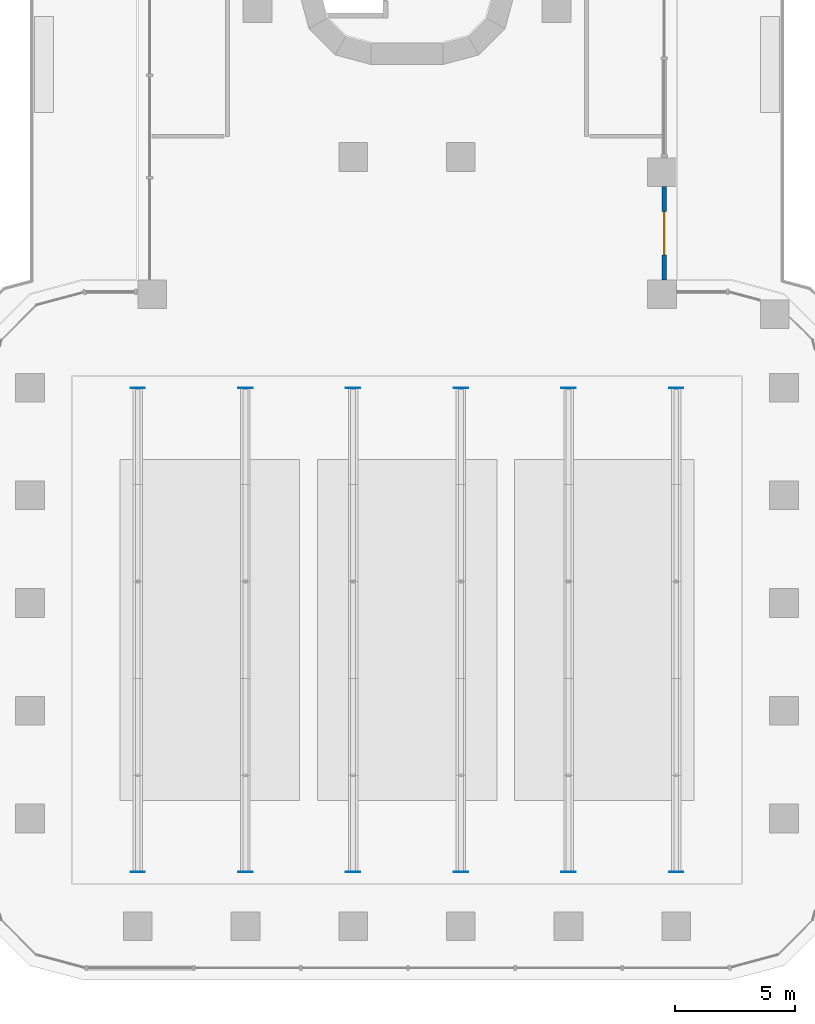
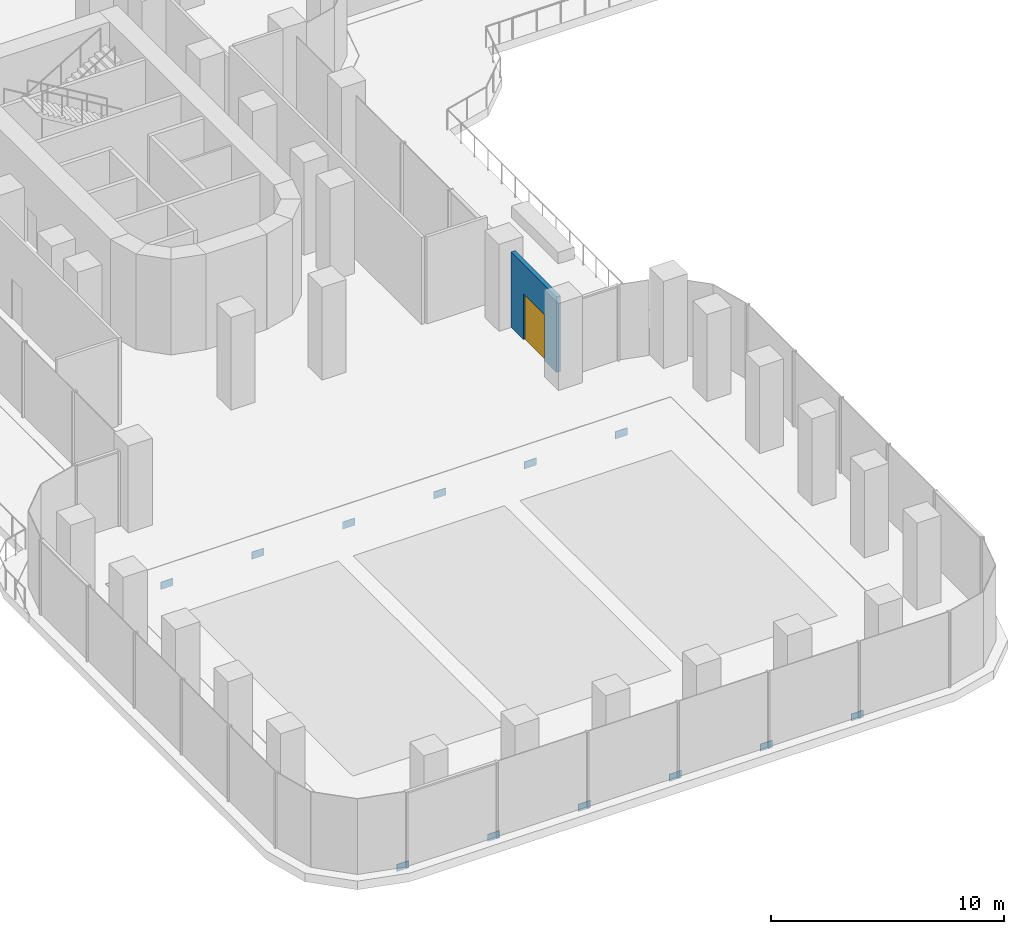
# One storey, part 12 of 21: 12 plates, 1 door, 1 wall, 1 opening.
"""IFC4 building model written with IfcOpenShell, lengths in metres."""

from ifc_helpers import new_model, si_unit, direction, frame, frame_2d, origin, origin_2d, place, context, subcontext, project, spatial, rectangle, extrude, material, layer, layer_set, type_object, element, fill, save


model = new_model("IFC4")

# Units and contexts
model_context = context("Model", 3, precision=1e-05, world=origin(), true_north=direction((0.0, 1.0)))
body_context = subcontext(model_context, "Body", "Model", "MODEL_VIEW")
ifc_project = project(units=[si_unit("LENGTHUNIT", "METRE"), si_unit("AREAUNIT", "SQUARE_METRE"), si_unit("VOLUMEUNIT", "CUBIC_METRE"), si_unit("PLANEANGLEUNIT", "RADIAN"), si_unit("MASSUNIT", "GRAM", prefix="KILO")], contexts=[model_context])

# Site, building, storey
site_placement = place(None, origin())
site = spatial("IfcSite", under=ifc_project, at=site_placement, CompositionType="ELEMENT")
building_placement = place(site_placement, origin())
building = spatial("IfcBuilding", under=site, at=building_placement, Name="Zarbagh Exchange Tower", CompositionType="ELEMENT")
storey_placement = place(building_placement, frame((0.0, 0.0, 22.0)))
storey = spatial("IfcBuildingStorey", under=building, at=storey_placement, Name="L04", CompositionType="ELEMENT", Elevation=22.0)

# Plates
ifc_material_1 = material(Name="Steel ASTM A572 Grade 50", Category="steel")
ifc_layer_1 = layer(ifc_material_1, 0.030029296875)
ifc_layer_set_1 = layer_set([ifc_layer_1], Name="Cast-in plate 600 x 380 x 30")
plate_type = type_object("IfcPlateType", Name="Cast-in plate 600 x 380 x 30", PredefinedType="USERDEFINED", material=ifc_layer_set_1)
for number, where, z_axis, x_axis, name in (
    (1, (-11.25, -62.985107421875, -3.346923828125), (0.0, 0.0, 1.0), (1.0, 0.0, 0.0), "Cast-in plate HT2 south end 1"),
    (2, (-11.25, -42.764892578125, -0.8330078125), (0.0, 0.0, 1.0), (1.0, 0.0, 0.0), "Cast-in plate HT2 north end 1"),
    (3, (-6.75, -62.985107421875, -3.346923828125), (0.0, 0.0, 1.0), (1.0, 0.0, 0.0), "Cast-in plate HT2 south end 2"),
    (4, (-6.75, -42.764892578125, -0.8330078125), (0.0, 0.0, 1.0), (1.0, 0.0, 0.0), "Cast-in plate HT2 north end 2"),
    (5, (-2.25, -62.985107421875, -3.346923828125), (0.0, 0.0, 1.0), (1.0, 0.0, 0.0), "Cast-in plate HT2 south end 3"),
    (6, (-2.25, -42.764892578125, -0.8330078125), (0.0, 0.0, 1.0), (1.0, 0.0, 0.0), "Cast-in plate HT2 north end 3"),
    (7, (2.25, -62.985107421875, -3.346923828125), (0.0, 0.0, 1.0), (1.0, 0.0, 0.0), "Cast-in plate HT2 south end 4"),
    (8, (2.25, -42.764892578125, -0.8330078125), (0.0, 0.0, 1.0), (1.0, 0.0, 0.0), "Cast-in plate HT2 north end 4"),
    (9, (6.75, -62.985107421875, -3.346923828125), (0.0, 0.0, 1.0), (1.0, 0.0, 0.0), "Cast-in plate HT2 south end 5"),
    (10, (6.75, -42.764892578125, -0.8330078125), (0.0, 0.0, 1.0), (1.0, 0.0, 0.0), "Cast-in plate HT2 north end 5"),
    (11, (11.25, -62.985107421875, -3.346923828125), (0.0, 0.0, 1.0), (1.0, 0.0, 0.0), "Cast-in plate HT2 south end 6"),
    (12, (11.25, -42.764892578125, -0.8330078125), (0.0, 0.0, 1.0), (1.0, 0.0, 0.0), "Cast-in plate HT2 north end 6"),
):
    element("IfcPlate", number, at=place(storey_placement, frame(where, z_axis=z_axis, x_axis=x_axis)), inside=storey, type_object=plate_type, Name=name, ObjectType="MOUNTING PLATE", PredefinedType="USERDEFINED", context=body_context, shape_type="SweptSolid", body=[
        extrude(rectangle(XDim=0.60009765625, YDim=0.030029296875, at=origin_2d()), origin(), (0.0, 0.0, 1.0), 0.3798828125),
    ])

# Wall, opening, door
ifc_material_2 = material(Name="Precast concrete C50/60", Category="concrete")
ifc_layer_2 = layer(ifc_material_2, 0.199951171875)
ifc_layer_set_2 = layer_set([ifc_layer_2], Name="Terrace door wall, precast concrete C50/60")
wall_type = type_object("IfcWallType", Name="Terrace door wall, precast concrete C50/60", PredefinedType="SOLIDWALL", material=ifc_layer_set_2)
wall_placement = place(storey_placement, frame((10.75, -38.25, 0.0), z_axis=(0.0, 0.0, 1.0), x_axis=(0.0, 1.0, 0.0)))
wall = element("IfcWall", 13, at=wall_placement, inside=storey, type_object=wall_type, Name="TW27 door wall", PredefinedType="SOLIDWALL", context=body_context, shape_type="SweptSolid", body=[
    extrude(rectangle(XDim=3.89990234375, YDim=0.199951171875, at=frame_2d((1.949951171875, 0.0))), origin(), (0.0, 0.0, 1.0), 3.949951171875),
])
opening_placement = place(wall_placement, frame((1.050048828125, 0.0, 0.0)))
opening = element("IfcOpeningElement", 14, at=opening_placement, cuts=wall, Name="Opening TD03", PredefinedType="OPENING", context=body_context, shape_type="SweptSolid", body=[
    extrude(rectangle(XDim=1.800048828125, YDim=2.39990234375, at=frame_2d((0.89990234375, 1.199951171875))), frame((0.0, 0.10986328125, 0.0), z_axis=(0.0, -1.0, 0.0), x_axis=(1.0, 0.0, 0.0)), (0.0, 0.0, 1.0), 0.219970703125),
])
ifc_material_3 = material(Name="Anodised aluminium and glass", Category="aluminium")
door_type = type_object("IfcDoorType", Name="Terrace door, double leaf, aluminium and glass", OperationType="DOUBLE_DOOR_DOUBLE_SWING", PredefinedType="DOOR", material=ifc_material_3)
door_placement = place(opening_placement, origin())
door = element("IfcDoor", 15, at=door_placement, inside=storey, type_object=door_type, Name="TD03 terrace door", OperationType="SINGLE_SWING_LEFT", OverallHeight=2.39990234375, OverallWidth=1.800048828125, PredefinedType="DOOR", context=body_context, shape_type="SweptSolid", body=[
    extrude(rectangle(XDim=1.800048828125, YDim=2.39990234375, at=frame_2d((0.89990234375, 1.199951171875))), frame((0.0, 0.02490234375, 0.0), z_axis=(0.0, -1.0, 0.0), x_axis=(1.0, 0.0, 0.0)), (0.0, 0.0, 1.0), 0.050048828125),
])
fill(opening, door)

save(model, "model.ifc")
